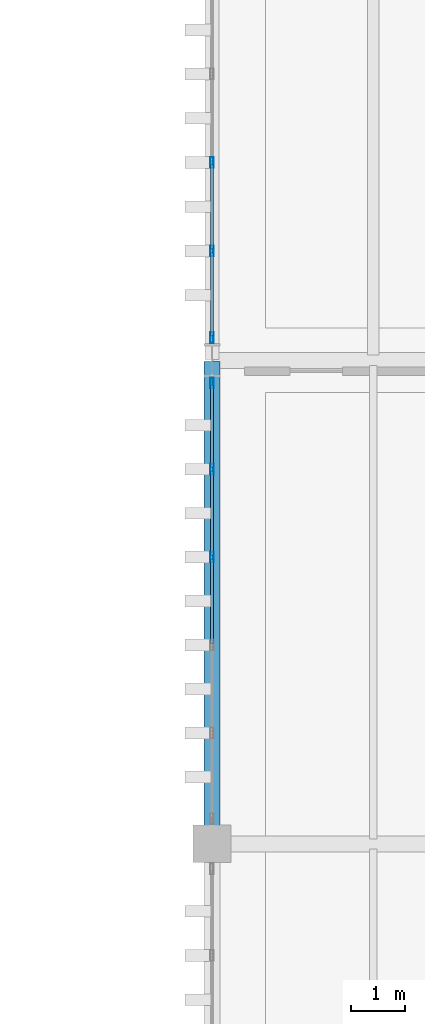
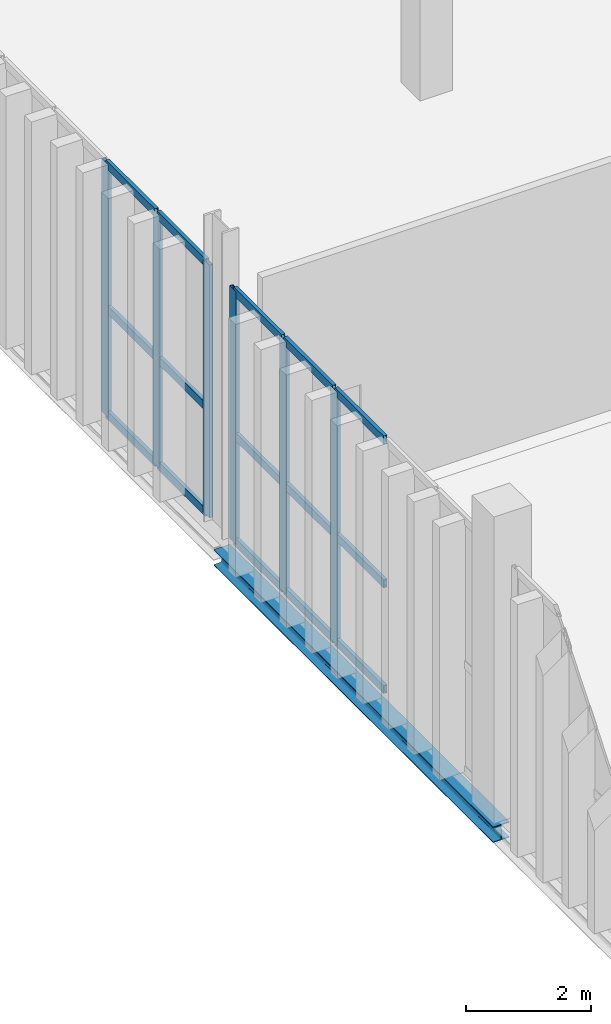
# One storey, part 59 of 211: 21 members, 1 beam, 2 elements without a shape of their own.
"""IFC4 building model written with IfcOpenShell, lengths in metres."""

from ifc_helpers import new_model, si_unit, direction, frame, origin, origin_2d, place, context, subcontext, project, spatial, hollow_rectangle, i_section, extrude, material, layer, layer_set, material_profile, profile_set, type_object, element, aggregate, save


model = new_model("IFC4")

# Units and contexts
model_context = context("Model", 3, precision=1e-05, world=origin(), true_north=direction((0.0, 1.0)))
body_context = subcontext(model_context, "Body", "Model", "MODEL_VIEW")
ifc_project = project(units=[si_unit("LENGTHUNIT", "METRE"), si_unit("AREAUNIT", "SQUARE_METRE"), si_unit("VOLUMEUNIT", "CUBIC_METRE"), si_unit("PLANEANGLEUNIT", "RADIAN"), si_unit("MASSUNIT", "GRAM", prefix="KILO")], contexts=[model_context])

# Site, building, storey
site_placement = place(None, origin())
site = spatial("IfcSite", under=ifc_project, at=site_placement, CompositionType="ELEMENT")
building_placement = place(site_placement, origin())
building = spatial("IfcBuilding", under=site, at=building_placement, Name="Barlavento Convention Centre", CompositionType="ELEMENT")
storey_placement = place(building_placement, frame((0.0, 0.0, 6.0)))
storey = spatial("IfcBuildingStorey", under=building, at=storey_placement, Name="L01", CompositionType="ELEMENT", Elevation=6.0)

# Curtain wall, members
ifc_material_1 = material(Name="Powder-coated aluminium and Low-E glass", Category="aluminium")
ifc_layer = layer(ifc_material_1, 0.18994140625)
ifc_layer_set = layer_set([ifc_layer], Name="ARC-CW-BALL-L01")
curtain_wall_type = type_object("IfcCurtainWallType", Name="ARC-CW-BALL-L01", PredefinedType="NOTDEFINED", material=ifc_layer_set)
curtain_wall_1_placement = place(storey_placement, origin())
curtain_wall_1 = element("IfcCurtainWall", 1, at=curtain_wall_1_placement, inside=storey, type_object=curtain_wall_type, Name="L01 unitised curtain wall CW06", PredefinedType="NOTDEFINED")
ifc_material_2 = material(Name="Powder-coated aluminium", Category="aluminium")
ifc_material_profile_1 = material_profile(ifc_material_2, hollow_rectangle(XDim=0.06494140625, YDim=0.199951171875, WallThickness=0.0048828125, at=origin_2d()), Name="AL-MULL 65x200x5")
ifc_profile_set_1 = profile_set([ifc_material_profile_1], Name="Powder-coated aluminium")
member_type_1 = type_object("IfcMemberType", Name="ARC-CWM-65X200", PredefinedType="MULLION", material=ifc_profile_set_1)
member_1_placement = place(storey_placement, frame((126.0, 23.337890625, 0.0), z_axis=(0.0, 0.0, 1.0), x_axis=(-1.0, 0.0, 0.0)))
member_1 = element("IfcMember", 2, at=member_1_placement, type_object=member_type_1, Name="CW06 mullion 4", PredefinedType="MULLION", context=body_context, shape_type="SweptSolid", body=[
    extrude(hollow_rectangle(XDim=0.06494140625, YDim=0.199951171875, WallThickness=0.0048828125, at=origin_2d()), origin(), (0.0, 0.0, 1.0), 4.949951171875),
])
member_2_placement = place(storey_placement, frame((126.0, 24.97412109375, 0.0), z_axis=(0.0, 0.0, 1.0), x_axis=(-1.0, 0.0, 0.0)))
member_2 = element("IfcMember", 3, at=member_2_placement, type_object=member_type_1, Name="CW06 mullion 5", PredefinedType="MULLION", context=body_context, shape_type="SweptSolid", body=[
    extrude(hollow_rectangle(XDim=0.06494140625, YDim=0.199951171875, WallThickness=0.0048828125, at=origin_2d()), origin(), (0.0, 0.0, 1.0), 4.949951171875),
])
member_3_placement = place(storey_placement, frame((126.0, 26.577392578125, 0.0), z_axis=(0.0, 0.0, 1.0), x_axis=(-1.0, 0.0, 0.0)))
member_3 = element("IfcMember", 4, at=member_3_placement, type_object=member_type_1, Name="CW06 mullion 6", PredefinedType="MULLION", context=body_context, shape_type="SweptSolid", body=[
    extrude(hollow_rectangle(XDim=0.06494140625, YDim=0.199951171875, WallThickness=0.0048828125, at=origin_2d()), origin(), (0.0, 0.0, 1.0), 4.949951171875),
])

curtain_wall_2_placement = place(storey_placement, origin())
curtain_wall_2 = element("IfcCurtainWall", 5, at=curtain_wall_2_placement, inside=storey, type_object=curtain_wall_type, Name="L01 unitised curtain wall CW06", PredefinedType="NOTDEFINED")
member_4_placement = place(storey_placement, frame((126.0, 27.422607421875, 0.0), z_axis=(0.0, 0.0, 1.0), x_axis=(-1.0, 0.0, 0.0)))
member_4 = element("IfcMember", 6, at=member_4_placement, type_object=member_type_1, Name="CW06 mullion 1", PredefinedType="MULLION", context=body_context, shape_type="SweptSolid", body=[
    extrude(hollow_rectangle(XDim=0.06494140625, YDim=0.199951171875, WallThickness=0.0048828125, at=origin_2d()), origin(), (0.0, 0.0, 1.0), 4.949951171875),
])
member_5_placement = place(storey_placement, frame((126.0, 29.035888671875, 0.0), z_axis=(0.0, 0.0, 1.0), x_axis=(-1.0, 0.0, 0.0)))
member_5 = element("IfcMember", 7, at=member_5_placement, type_object=member_type_1, Name="CW06 mullion 2", PredefinedType="MULLION", context=body_context, shape_type="SweptSolid", body=[
    extrude(hollow_rectangle(XDim=0.06494140625, YDim=0.199951171875, WallThickness=0.0048828125, at=origin_2d()), origin(), (0.0, 0.0, 1.0), 4.949951171875),
])
member_6_placement = place(storey_placement, frame((126.0, 30.681884765625, 0.0), z_axis=(0.0, 0.0, 1.0), x_axis=(-1.0, 0.0, 0.0)))
member_6 = element("IfcMember", 8, at=member_6_placement, type_object=member_type_1, Name="CW06 mullion 3", PredefinedType="MULLION", context=body_context, shape_type="SweptSolid", body=[
    extrude(hollow_rectangle(XDim=0.06494140625, YDim=0.199951171875, WallThickness=0.0048828125, at=origin_2d()), origin(), (0.0, 0.0, 1.0), 4.949951171875),
])

# Member
ifc_material_profile_2 = material_profile(ifc_material_2, hollow_rectangle(XDim=0.06494140625, YDim=0.159912109375, WallThickness=0.0048828125, at=origin_2d()), Name="AL-TRAN 65x160x5")
ifc_profile_set_2 = profile_set([ifc_material_profile_2], Name="Powder-coated aluminium")
member_type_2 = type_object("IfcMemberType", Name="ARC-CWT-65X160", PredefinedType="USERDEFINED", material=ifc_profile_set_2)
member_7_placement = place(storey_placement, frame((126.0, 21.734619140625, 0.032470703125), z_axis=(0.0, 1.0, 0.0), x_axis=(-1.0, 0.0, 0.0)))
member_7 = element("IfcMember", 9, at=member_7_placement, type_object=member_type_2, Name="CW06 transom 3.1", ObjectType="TRANSOM", PredefinedType="USERDEFINED", context=body_context, shape_type="SweptSolid", body=[
    extrude(hollow_rectangle(XDim=0.06494140625, YDim=0.159912109375, WallThickness=0.0048828125, at=origin_2d()), origin(), (0.0, 0.0, 1.0), 1.57080078125),
])

member_8_placement = place(storey_placement, frame((126.0, 21.734619140625, 2.10009765625), z_axis=(0.0, 1.0, 0.0), x_axis=(-1.0, 0.0, 0.0)))
member_8 = element("IfcMember", 10, at=member_8_placement, type_object=member_type_2, Name="CW06 transom 3.2", ObjectType="TRANSOM", PredefinedType="USERDEFINED", context=body_context, shape_type="SweptSolid", body=[
    extrude(hollow_rectangle(XDim=0.06494140625, YDim=0.159912109375, WallThickness=0.0048828125, at=origin_2d()), origin(), (0.0, 0.0, 1.0), 1.57080078125),
])

member_9_placement = place(storey_placement, frame((126.0, 21.734619140625, 4.91748046875), z_axis=(0.0, 1.0, 0.0), x_axis=(-1.0, 0.0, 0.0)))
member_9 = element("IfcMember", 11, at=member_9_placement, type_object=member_type_2, Name="CW06 transom 3.3", ObjectType="TRANSOM", PredefinedType="USERDEFINED", context=body_context, shape_type="SweptSolid", body=[
    extrude(hollow_rectangle(XDim=0.06494140625, YDim=0.159912109375, WallThickness=0.0048828125, at=origin_2d()), origin(), (0.0, 0.0, 1.0), 1.57080078125),
])

member_10_placement = place(storey_placement, frame((126.0, 23.37060546875, 0.032470703125), z_axis=(0.0, 1.0, 0.0), x_axis=(-1.0, 0.0, 0.0)))
member_10 = element("IfcMember", 12, at=member_10_placement, type_object=member_type_2, Name="CW06 transom 4.1", ObjectType="TRANSOM", PredefinedType="USERDEFINED", context=body_context, shape_type="SweptSolid", body=[
    extrude(hollow_rectangle(XDim=0.06494140625, YDim=0.159912109375, WallThickness=0.0048828125, at=origin_2d()), origin(), (0.0, 0.0, 1.0), 1.57080078125),
])

member_11_placement = place(storey_placement, frame((126.0, 23.37060546875, 2.10009765625), z_axis=(0.0, 1.0, 0.0), x_axis=(-1.0, 0.0, 0.0)))
member_11 = element("IfcMember", 13, at=member_11_placement, type_object=member_type_2, Name="CW06 transom 4.2", ObjectType="TRANSOM", PredefinedType="USERDEFINED", context=body_context, shape_type="SweptSolid", body=[
    extrude(hollow_rectangle(XDim=0.06494140625, YDim=0.159912109375, WallThickness=0.0048828125, at=origin_2d()), origin(), (0.0, 0.0, 1.0), 1.57080078125),
])

member_12_placement = place(storey_placement, frame((126.0, 23.37060546875, 4.91748046875), z_axis=(0.0, 1.0, 0.0), x_axis=(-1.0, 0.0, 0.0)))
member_12 = element("IfcMember", 14, at=member_12_placement, type_object=member_type_2, Name="CW06 transom 4.3", ObjectType="TRANSOM", PredefinedType="USERDEFINED", context=body_context, shape_type="SweptSolid", body=[
    extrude(hollow_rectangle(XDim=0.06494140625, YDim=0.159912109375, WallThickness=0.0048828125, at=origin_2d()), origin(), (0.0, 0.0, 1.0), 1.57080078125),
])

member_13_placement = place(storey_placement, frame((126.0, 25.006591796875, 0.032470703125), z_axis=(0.0, 1.0, 0.0), x_axis=(-1.0, 0.0, 0.0)))
member_13 = element("IfcMember", 15, at=member_13_placement, type_object=member_type_2, Name="CW06 transom 5.1", ObjectType="TRANSOM", PredefinedType="USERDEFINED", context=body_context, shape_type="SweptSolid", body=[
    extrude(hollow_rectangle(XDim=0.06494140625, YDim=0.159912109375, WallThickness=0.0048828125, at=origin_2d()), origin(), (0.0, 0.0, 1.0), 1.538330078125),
])

member_14_placement = place(storey_placement, frame((126.0, 25.006591796875, 2.10009765625), z_axis=(0.0, 1.0, 0.0), x_axis=(-1.0, 0.0, 0.0)))
member_14 = element("IfcMember", 16, at=member_14_placement, type_object=member_type_2, Name="CW06 transom 5.2", ObjectType="TRANSOM", PredefinedType="USERDEFINED", context=body_context, shape_type="SweptSolid", body=[
    extrude(hollow_rectangle(XDim=0.06494140625, YDim=0.159912109375, WallThickness=0.0048828125, at=origin_2d()), origin(), (0.0, 0.0, 1.0), 1.538330078125),
])

member_15_placement = place(storey_placement, frame((126.0, 25.006591796875, 4.91748046875), z_axis=(0.0, 1.0, 0.0), x_axis=(-1.0, 0.0, 0.0)))
member_15 = element("IfcMember", 17, at=member_15_placement, type_object=member_type_2, Name="CW06 transom 5.3", ObjectType="TRANSOM", PredefinedType="USERDEFINED", context=body_context, shape_type="SweptSolid", body=[
    extrude(hollow_rectangle(XDim=0.06494140625, YDim=0.159912109375, WallThickness=0.0048828125, at=origin_2d()), origin(), (0.0, 0.0, 1.0), 1.538330078125),
])

aggregate(curtain_wall_1, [member_1, member_2, member_3, member_7, member_8, member_9, member_10, member_11, member_12, member_13, member_14, member_15])

member_16_placement = place(storey_placement, frame((126.0, 27.455078125, 0.032470703125), z_axis=(0.0, 1.0, 0.0), x_axis=(-1.0, 0.0, 0.0)))
member_16 = element("IfcMember", 18, at=member_16_placement, type_object=member_type_2, Name="CW06 transom 1.1", ObjectType="TRANSOM", PredefinedType="USERDEFINED", context=body_context, shape_type="SweptSolid", body=[
    extrude(hollow_rectangle(XDim=0.06494140625, YDim=0.159912109375, WallThickness=0.0048828125, at=origin_2d()), origin(), (0.0, 0.0, 1.0), 1.54833984375),
])

member_17_placement = place(storey_placement, frame((126.0, 27.455078125, 2.10009765625), z_axis=(0.0, 1.0, 0.0), x_axis=(-1.0, 0.0, 0.0)))
member_17 = element("IfcMember", 19, at=member_17_placement, type_object=member_type_2, Name="CW06 transom 1.2", ObjectType="TRANSOM", PredefinedType="USERDEFINED", context=body_context, shape_type="SweptSolid", body=[
    extrude(hollow_rectangle(XDim=0.06494140625, YDim=0.159912109375, WallThickness=0.0048828125, at=origin_2d()), origin(), (0.0, 0.0, 1.0), 1.54833984375),
])

member_18_placement = place(storey_placement, frame((126.0, 27.455078125, 4.91748046875), z_axis=(0.0, 1.0, 0.0), x_axis=(-1.0, 0.0, 0.0)))
member_18 = element("IfcMember", 20, at=member_18_placement, type_object=member_type_2, Name="CW06 transom 1.3", ObjectType="TRANSOM", PredefinedType="USERDEFINED", context=body_context, shape_type="SweptSolid", body=[
    extrude(hollow_rectangle(XDim=0.06494140625, YDim=0.159912109375, WallThickness=0.0048828125, at=origin_2d()), origin(), (0.0, 0.0, 1.0), 1.54833984375),
])

member_19_placement = place(storey_placement, frame((126.0, 29.068603515625, 0.032470703125), z_axis=(0.0, 1.0, 0.0), x_axis=(-1.0, 0.0, 0.0)))
member_19 = element("IfcMember", 21, at=member_19_placement, type_object=member_type_2, Name="CW06 transom 2.1", ObjectType="TRANSOM", PredefinedType="USERDEFINED", context=body_context, shape_type="SweptSolid", body=[
    extrude(hollow_rectangle(XDim=0.06494140625, YDim=0.159912109375, WallThickness=0.0048828125, at=origin_2d()), origin(), (0.0, 0.0, 1.0), 1.580810546875),
])

member_20_placement = place(storey_placement, frame((126.0, 29.068603515625, 2.10009765625), z_axis=(0.0, 1.0, 0.0), x_axis=(-1.0, 0.0, 0.0)))
member_20 = element("IfcMember", 22, at=member_20_placement, type_object=member_type_2, Name="CW06 transom 2.2", ObjectType="TRANSOM", PredefinedType="USERDEFINED", context=body_context, shape_type="SweptSolid", body=[
    extrude(hollow_rectangle(XDim=0.06494140625, YDim=0.159912109375, WallThickness=0.0048828125, at=origin_2d()), origin(), (0.0, 0.0, 1.0), 1.580810546875),
])

member_21_placement = place(storey_placement, frame((126.0, 29.068603515625, 4.91748046875), z_axis=(0.0, 1.0, 0.0), x_axis=(-1.0, 0.0, 0.0)))
member_21 = element("IfcMember", 23, at=member_21_placement, type_object=member_type_2, Name="CW06 transom 2.3", ObjectType="TRANSOM", PredefinedType="USERDEFINED", context=body_context, shape_type="SweptSolid", body=[
    extrude(hollow_rectangle(XDim=0.06494140625, YDim=0.159912109375, WallThickness=0.0048828125, at=origin_2d()), origin(), (0.0, 0.0, 1.0), 1.580810546875),
])

aggregate(curtain_wall_2, [member_4, member_5, member_6, member_16, member_17, member_18, member_19, member_20, member_21])

# Beam
ifc_material_3 = material(Name="Steel S355", Category="steel")
ifc_material_profile_3 = material_profile(ifc_material_3, i_section(OverallWidth=0.300048828125, OverallDepth=0.31005859375, WebThickness=0.009033203125, FlangeThickness=0.015380859375, FilletRadius=0.027099609375, at=origin_2d()), Name="HEA 320")
ifc_profile_set_3 = profile_set([ifc_material_profile_3], Name="Steel S355")
beam_type = type_object("IfcBeamType", Name="STR-BM-SPN-HEA320", PredefinedType="SPANDREL", material=ifc_profile_set_3)
beam_placement = place(storey_placement, frame((126.0, 18.02001953125, -0.514892578125), z_axis=(0.0, 1.0, 0.0), x_axis=(-1.0, 0.0, 0.0)))
element("IfcBeam", 24, at=beam_placement, inside=storey, type_object=beam_type, Name="L01 grid girder SP01", PredefinedType="SPANDREL", context=body_context, shape_type="SweptSolid", body=[
    extrude(i_section(OverallWidth=0.300048828125, OverallDepth=0.31005859375, WebThickness=0.009033203125, FlangeThickness=0.015380859375, FilletRadius=0.027099609375, at=origin_2d()), origin(), (0.0, 0.0, 1.0), 8.9599609375),
])

save(model, "model.ifc")
